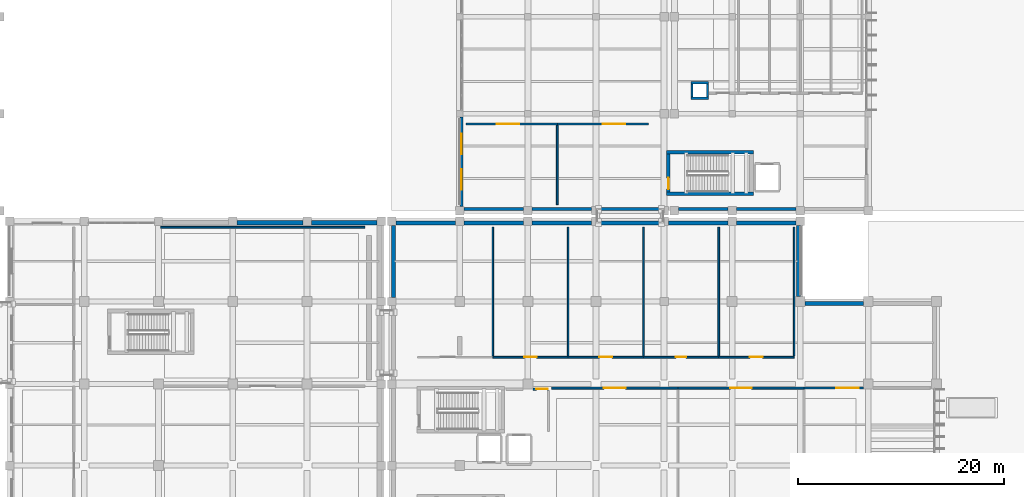
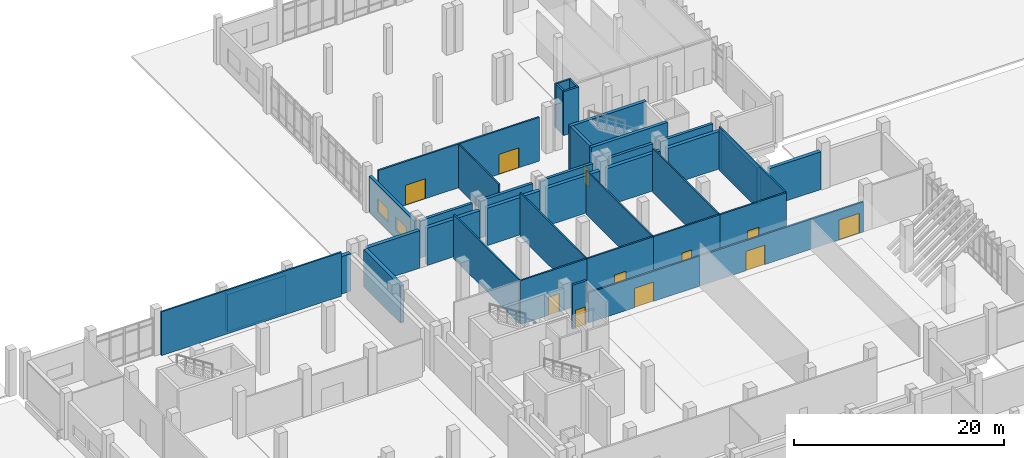
# One storey, part 59 of 79: 41 walls, 11 doors, 2 windows, 13 openings.
"""IFC4 building model written with IfcOpenShell, lengths in metres."""

from ifc_helpers import new_model, si_unit, direction, frame, frame_2d, origin, place, context, subcontext, project, spatial, rectangle, extrude, material, layer, layer_set, type_object, element, fill, save


model = new_model("IFC4")

# Units and contexts
model_context = context("Model", 3, precision=1e-05, world=origin(), true_north=direction((0.0, 1.0)))
body_context = subcontext(model_context, "Body", "Model", "MODEL_VIEW")
ifc_project = project(units=[si_unit("LENGTHUNIT", "METRE"), si_unit("AREAUNIT", "SQUARE_METRE"), si_unit("VOLUMEUNIT", "CUBIC_METRE"), si_unit("PLANEANGLEUNIT", "RADIAN"), si_unit("MASSUNIT", "GRAM", prefix="KILO")], contexts=[model_context])

# Site, building, storey
site_placement = place(None, origin())
site = spatial("IfcSite", under=ifc_project, at=site_placement, CompositionType="ELEMENT")
building_placement = place(site_placement, origin())
building = spatial("IfcBuilding", under=site, at=building_placement, Name="Kelarvand Opera House", CompositionType="ELEMENT")
storey_placement = place(building_placement, origin())
storey = spatial("IfcBuildingStorey", under=building, at=storey_placement, Name="L00", CompositionType="ELEMENT", Elevation=0.0)

# Walls
ifc_material_1 = material(Name="Concrete C35/45", Category="concrete")
ifc_layer_1 = layer(ifc_material_1, 0.39990234375, Name="Concrete C35/45", Category="concrete")
ifc_layer_set_1 = layer_set([ifc_layer_1], Name="Concrete C35/45")
wall_type_1 = type_object("IfcWallType", Name="Acoustic Brick-Travertine Double Wall 400", PredefinedType="SOLIDWALL", material=ifc_layer_set_1)
wall_1_placement = place(storey_placement, frame((89.179931640625, 78.81005859375, 0.0), z_axis=(0.0, 0.0, 1.0), x_axis=(0.0, 1.0, 0.0)))
element("IfcWall", 1, at=wall_1_placement, inside=storey, type_object=wall_type_1, Name="V1 L00 Exterior Wall EW-400 (68)", PredefinedType="SOLIDWALL", context=body_context, shape_type="SweptSolid", body=[
    extrude(rectangle(XDim=6.97998046875, YDim=0.39990234375, at=frame_2d((3.489990234375, 0.0))), origin(), (0.0, 0.0, 1.0), 4.342041015625),
])
for number, where, z_axis, x_axis, name in (
    (2, (89.409912109375, 86.02001953125, 0.0), (0.0, 0.0, 1.0), (1.0, 0.0, 0.0), "V1 L00 Exterior Wall EW-400 (69)"),
    (3, (96.010009765625, 86.02001953125, 0.0), (0.0, 0.0, 1.0), (1.0, 0.0, 0.0), "V1 L00 Exterior Wall EW-400 (70)"),
):
    element("IfcWall", number, at=place(storey_placement, frame(where, z_axis=z_axis, x_axis=x_axis)), inside=storey, type_object=wall_type_1, Name=name, PredefinedType="SOLIDWALL", context=body_context, shape_type="SweptSolid", body=[
        extrude(rectangle(XDim=5.780029296875, YDim=0.39990234375, at=frame_2d((2.89013671875, 0.0))), origin(), (0.0, 0.0, 1.0), 4.342041015625),
    ])
wall_2_placement = place(storey_placement, frame((102.610107421875, 86.02001953125, 0.0), z_axis=(0.0, 0.0, 1.0), x_axis=(1.0, 0.0, 0.0)))
element("IfcWall", 4, at=wall_2_placement, inside=storey, type_object=wall_type_1, Name="V1 L00 Exterior Wall EW-400 (71)", PredefinedType="SOLIDWALL", context=body_context, shape_type="SweptSolid", body=[
    extrude(rectangle(XDim=5.77978515625, YDim=0.39990234375, at=frame_2d((2.889892578125, 0.0))), origin(), (0.0, 0.0, 1.0), 4.342041015625),
])
for number, where, z_axis, x_axis, name in (
    (5, (109.2099609375, 86.02001953125, 0.0), (0.0, 0.0, 1.0), (1.0, 0.0, 0.0), "V1 L00 Exterior Wall EW-400 (72)"),
    (6, (115.81005859375, 86.02001953125, 0.0), (0.0, 0.0, 1.0), (1.0, 0.0, 0.0), "V1 L00 Exterior Wall EW-400 (73)"),
    (7, (122.409912109375, 86.02001953125, 0.0), (0.0, 0.0, 1.0), (1.0, 0.0, 0.0), "V1 L00 Exterior Wall EW-400 (74)"),
):
    element("IfcWall", number, at=place(storey_placement, frame(where, z_axis=z_axis, x_axis=x_axis)), inside=storey, type_object=wall_type_1, Name=name, PredefinedType="SOLIDWALL", context=body_context, shape_type="SweptSolid", body=[
        extrude(rectangle(XDim=5.780029296875, YDim=0.39990234375, at=frame_2d((2.89013671875, 0.0))), origin(), (0.0, 0.0, 1.0), 4.342041015625),
    ])
wall_3_placement = place(storey_placement, frame((128.419921875, 85.7900390625, 0.0), z_axis=(0.0, 0.0, 1.0), x_axis=(0.0, -1.0, 0.0)))
element("IfcWall", 8, at=wall_3_placement, inside=storey, type_object=wall_type_1, Name="V1 L00 Exterior Wall EW-400 (75)", PredefinedType="SOLIDWALL", context=body_context, shape_type="SweptSolid", body=[
    extrude(rectangle(XDim=6.9150390625, YDim=0.39990234375, at=frame_2d((3.45751953125, 0.0))), origin(), (0.0, 0.0, 1.0), 4.241943359375),
])
wall_4_placement = place(storey_placement, frame((129.074951171875, 78.219970703125, 0.0), z_axis=(0.0, 0.0, 1.0), x_axis=(1.0, 0.0, 0.0)))
element("IfcWall", 9, at=wall_4_placement, inside=storey, type_object=wall_type_1, Name="V1 L00 Exterior Wall EW-400 (76)", PredefinedType="SOLIDWALL", context=body_context, shape_type="SweptSolid", body=[
    extrude(rectangle(XDim=5.650146484375, YDim=0.39990234375, at=frame_2d((2.8251953125, 0.0))), origin(), (0.0, 0.0, 1.0), 4.39208984375),
])
ifc_material_2 = material(Name="Acoustic double-stud gypsum partition")
ifc_layer_2 = layer(ifc_material_2, 0.14990234375, Name="Acoustic double-stud gypsum partition")
ifc_layer_set_2 = layer_set([ifc_layer_2], Name="Acoustic double-stud gypsum partition")
wall_type_2 = type_object("IfcWallType", Name="Acoustic Room Partition Wall 150", PredefinedType="PARTITIONING", material=ifc_layer_set_2)
for number, where, z_axis, x_axis, name in (
    (10, (98.800048828125, 73.139892578125, 0.0), (0.0, 0.0, 1.0), (0.0, 1.0, 0.0), "V1 L00 Partition Wall IW-150 (251)"),
    (11, (106.10009765625, 73.139892578125, 0.0), (0.0, 0.0, 1.0), (0.0, 1.0, 0.0), "V1 L00 Partition Wall IW-150 (253)"),
    (12, (113.39990234375, 73.139892578125, 0.0), (0.0, 0.0, 1.0), (0.0, 1.0, 0.0), "V1 L00 Partition Wall IW-150 (255)"),
    (13, (120.699951171875, 73.139892578125, 0.0), (0.0, 0.0, 1.0), (0.0, 1.0, 0.0), "V1 L00 Partition Wall IW-150 (257)"),
    (14, (128.0, 73.139892578125, 0.0), (0.0, 0.0, 1.0), (0.0, 1.0, 0.0), "V1 L00 Partition Wall IW-150 (258)"),
):
    element("IfcWall", number, at=place(storey_placement, frame(where, z_axis=z_axis, x_axis=x_axis)), inside=storey, type_object=wall_type_2, Name=name, PredefinedType="PARTITIONING", context=body_context, shape_type="SweptSolid", body=[
        extrude(rectangle(XDim=12.460205078125, YDim=0.14990234375, at=frame_2d((6.22998046875, 0.0))), origin(), (0.0, 0.0, 1.0), 5.092041015625),
    ])
wall_5_placement = place(storey_placement, frame((105.050048828125, 87.800048828125, 0.0), z_axis=(0.0, 0.0, 1.0), x_axis=(0.0, 1.0, 0.0)))
element("IfcWall", 15, at=wall_5_placement, inside=storey, type_object=wall_type_2, Name="V5 L00 Partition Wall IW-150 (300)", PredefinedType="PARTITIONING", context=body_context, shape_type="SweptSolid", body=[
    extrude(rectangle(XDim=7.659912109375, YDim=0.14990234375, at=frame_2d((3.830078125, 0.0))), origin(), (0.0, 0.0, 1.0), 5.092041015625),
])
ifc_material_3 = material(Name="Concrete C40/50", Category="concrete")
ifc_layer_3 = layer(ifc_material_3, 0.35009765625, Name="Concrete C40/50", Category="concrete")
ifc_layer_set_3 = layer_set([ifc_layer_3], Name="Concrete C40/50")
wall_type_3 = type_object("IfcWallType", Name="Core Stair and Lift Shear Wall 350", PredefinedType="SHEAR", material=ifc_layer_set_3)
for number, where, z_axis, x_axis, name in (
    (16, (115.64990234375, 88.824951171875, 0.0), (0.0, 0.0, 1.0), (1.0, 0.0, 0.0), "C7 Stair Core Shear Wall S L00"),
    (17, (124.050048828125, 92.875, 0.0), (0.0, 0.0, 1.0), (-1.0, 0.0, 0.0), "C7 Stair Core Shear Wall N L00"),
):
    element("IfcWall", number, at=place(storey_placement, frame(where, z_axis=z_axis, x_axis=x_axis)), inside=storey, type_object=wall_type_3, Name=name, PredefinedType="SHEAR", context=body_context, shape_type="SweptSolid", body=[
        extrude(rectangle(XDim=8.400146484375, YDim=0.35009765625, at=frame_2d((4.2001953125, 0.0))), origin(), (0.0, 0.0, 1.0), 5.10009765625),
    ])

# Wall, opening, door
wall_6_placement = place(storey_placement, frame((115.824951171875, 89.0, 0.0), z_axis=(0.0, 0.0, 1.0), x_axis=(0.0, 1.0, 0.0)))
wall_6 = element("IfcWall", 18, at=wall_6_placement, inside=storey, type_object=wall_type_3, Name="C7 Stair Core Shear Wall W L00", PredefinedType="SHEAR", context=body_context, shape_type="SweptSolid", body=[
    extrude(rectangle(XDim=3.699951171875, YDim=0.35009765625, at=frame_2d((1.85009765625, 0.0))), origin(), (0.0, 0.0, 1.0), 5.10009765625),
])
opening_1_placement = place(wall_6_placement, frame((0.280029296875, 0.0, 0.0)))
opening_1 = element("IfcOpeningElement", 19, at=opening_1_placement, cuts=wall_6, Name="Opening FD-01", PredefinedType="OPENING", context=body_context, shape_type="SweptSolid", body=[
    extrude(rectangle(XDim=1.10009765625, YDim=2.080078125, at=frame_2d((0.550048828125, 1.0400390625))), frame((0.0, 0.18505859375, 0.0), z_axis=(0.0, -1.0, 0.0), x_axis=(1.0, 0.0, 0.0)), (0.0, 0.0, 1.0), 0.3701171875),
])
ifc_material_4 = material(Name="Fire-rated brushed stainless steel", Category="steel")
door_type_1 = type_object("IfcDoorType", Name="Steel Fire-Rated Stair and FF Lobby Door 1100x2080", OperationType="NOTDEFINED", PredefinedType="DOOR", material=ifc_material_4)
door_1_placement = place(opening_1_placement, origin())
door_1 = element("IfcDoor", 20, at=door_1_placement, inside=storey, type_object=door_type_1, Name="C7 Stair ST-07 Fire Door L00", OperationType="SINGLE_SWING_LEFT", OverallHeight=2.080078125, OverallWidth=1.10009765625, PredefinedType="DOOR", context=body_context, shape_type="SweptSolid", body=[
    extrude(rectangle(XDim=1.10009765625, YDim=2.080078125, at=frame_2d((0.550048828125, 1.0400390625))), frame((0.0, 0.02490234375, 0.0), z_axis=(0.0, -1.0, 0.0), x_axis=(1.0, 0.0, 0.0)), (0.0, 0.0, 1.0), 0.050048828125),
])
fill(opening_1, door_1)

ifc_layer_4 = layer(ifc_material_1, 0.179931640625, Name="Concrete C35/45", Category="concrete")
ifc_layer_set_4 = layer_set([ifc_layer_4], Name="Concrete C35/45")
wall_type_4 = type_object("IfcWallType", Name="Corridor Fire-Rated Partition Wall 180 EI90", PredefinedType="PARTITIONING", material=ifc_layer_set_4)
wall_7_placement = place(storey_placement, frame((104.5, 70.0, 0.0), z_axis=(0.0, 0.0, 1.0), x_axis=(1.0, 0.0, 0.0)))
wall_7 = element("IfcWall", 21, at=wall_7_placement, inside=storey, type_object=wall_type_4, Name="V1 L00 Partition Wall IW-90 (244)", PredefinedType="PARTITIONING", context=body_context, shape_type="SweptSolid", body=[
    extrude(rectangle(XDim=12.23291015625, YDim=0.179931640625, at=frame_2d((6.116455078125, 0.0))), origin(), (0.0, 0.0, 1.0), 3.491943359375),
])
opening_2_placement = place(wall_7_placement, frame((5.06689453125, 0.0, 0.0)))
opening_2 = element("IfcOpeningElement", 22, at=opening_2_placement, cuts=wall_7, Name="Opening D-08", PredefinedType="OPENING", context=body_context, shape_type="SweptSolid", body=[
    extrude(rectangle(XDim=2.10009765625, YDim=2.25, at=frame_2d((1.050048828125, 1.125))), frame((0.0, 0.10009765625, 0.0), z_axis=(0.0, -1.0, 0.0), x_axis=(1.0, 0.0, 0.0)), (0.0, 0.0, 1.0), 0.199951171875),
])
ifc_material_5 = material(Name="Acoustic walnut-veneered hardwood", Category="wood")
door_type_2 = type_object("IfcDoorType", Name="Foyer Intermission Double Glazed Door 2100x2250", OperationType="NOTDEFINED", PredefinedType="DOOR", material=ifc_material_5)
door_2_placement = place(opening_2_placement, origin())
door_2 = element("IfcDoor", 23, at=door_2_placement, inside=storey, type_object=door_type_2, Name="V1 L00 Door D-08 (102)", OperationType="DOUBLE_DOOR_SINGLE_SWING", OverallHeight=2.25, OverallWidth=2.10009765625, PredefinedType="DOOR", context=body_context, shape_type="SweptSolid", body=[
    extrude(rectangle(XDim=2.10009765625, YDim=2.25, at=frame_2d((1.050048828125, 1.125))), frame((0.0, 0.02490234375, 0.0), z_axis=(0.0, -1.0, 0.0), x_axis=(1.0, 0.0, 0.0)), (0.0, 0.0, 1.0), 0.050048828125),
])
fill(opening_2, door_2)

wall_8_placement = place(storey_placement, frame((116.73291015625, 70.0, 0.0), z_axis=(0.0, 0.0, 1.0), x_axis=(1.0, 0.0, 0.0)))
wall_8 = element("IfcWall", 24, at=wall_8_placement, inside=storey, type_object=wall_type_4, Name="V1 L00 Partition Wall IW-90 (246)", PredefinedType="PARTITIONING", context=body_context, shape_type="SweptSolid", body=[
    extrude(rectangle(XDim=12.234130859375, YDim=0.179931640625, at=frame_2d((6.1171875, 0.0))), origin(), (0.0, 0.0, 1.0), 3.491943359375),
])
opening_3_placement = place(wall_8_placement, frame((5.06689453125, 0.0, 0.0)))
opening_3 = element("IfcOpeningElement", 25, at=opening_3_placement, cuts=wall_8, Name="Opening D-08", PredefinedType="OPENING", context=body_context, shape_type="SweptSolid", body=[
    extrude(rectangle(XDim=2.10009765625, YDim=2.25, at=frame_2d((1.050048828125, 1.125))), frame((0.0, 0.10009765625, 0.0), z_axis=(0.0, -1.0, 0.0), x_axis=(1.0, 0.0, 0.0)), (0.0, 0.0, 1.0), 0.199951171875),
])
door_3_placement = place(opening_3_placement, origin())
door_3 = element("IfcDoor", 26, at=door_3_placement, inside=storey, type_object=door_type_2, Name="V1 L00 Door D-08 (103)", OperationType="DOUBLE_DOOR_SINGLE_SWING", OverallHeight=2.25, OverallWidth=2.10009765625, PredefinedType="DOOR", context=body_context, shape_type="SweptSolid", body=[
    extrude(rectangle(XDim=2.10009765625, YDim=2.25, at=frame_2d((1.050048828125, 1.125))), frame((0.0, 0.02490234375, 0.0), z_axis=(0.0, -1.0, 0.0), x_axis=(1.0, 0.0, 0.0)), (0.0, 0.0, 1.0), 0.050048828125),
])
fill(opening_3, door_3)

wall_9_placement = place(storey_placement, frame((128.967041015625, 70.0, 0.0), z_axis=(0.0, 0.0, 1.0), x_axis=(1.0, 0.0, 0.0)))
wall_9 = element("IfcWall", 27, at=wall_9_placement, inside=storey, type_object=wall_type_4, Name="V1 L00 Partition Wall IW-90 (248)", PredefinedType="PARTITIONING", context=body_context, shape_type="SweptSolid", body=[
    extrude(rectangle(XDim=5.758056640625, YDim=0.179931640625, at=frame_2d((2.87890625, 0.0))), origin(), (0.0, 0.0, 1.0), 3.491943359375),
])
opening_4_placement = place(wall_9_placement, frame((3.10009765625, 0.0, 0.0)))
opening_4 = element("IfcOpeningElement", 28, at=opening_4_placement, cuts=wall_9, Name="Opening D-18", PredefinedType="OPENING", context=body_context, shape_type="SweptSolid", body=[
    extrude(rectangle(XDim=2.199951171875, YDim=2.320068359375, at=frame_2d((1.10009765625, 1.16015625))), frame((0.0, 0.10009765625, 0.0), z_axis=(0.0, -1.0, 0.0), x_axis=(1.0, 0.0, 0.0)), (0.0, 0.0, 1.0), 0.199951171875),
])
door_type_3 = type_object("IfcDoorType", Name="Main Concourse Glazed Double Door 2200x2320", OperationType="NOTDEFINED", PredefinedType="DOOR", material=ifc_material_5)
door_4_placement = place(opening_4_placement, origin())
door_4 = element("IfcDoor", 29, at=door_4_placement, inside=storey, type_object=door_type_3, Name="V1 L00 Door D-18 (104)", OperationType="DOUBLE_DOOR_SINGLE_SWING", OverallHeight=2.320068359375, OverallWidth=2.199951171875, PredefinedType="DOOR", context=body_context, shape_type="SweptSolid", body=[
    extrude(rectangle(XDim=2.199951171875, YDim=2.320068359375, at=frame_2d((1.10009765625, 1.16015625))), frame((0.0, 0.02490234375, 0.0), z_axis=(0.0, -1.0, 0.0), x_axis=(1.0, 0.0, 0.0)), (0.0, 0.0, 1.0), 0.050048828125),
])
fill(opening_4, door_4)

wall_10_placement = place(storey_placement, frame((98.800048828125, 73.0, 0.0), z_axis=(0.0, 0.0, 1.0), x_axis=(1.0, 0.0, 0.0)))
wall_10 = element("IfcWall", 30, at=wall_10_placement, inside=storey, type_object=wall_type_4, Name="V1 L00 Partition Wall IW-90 (252)", PredefinedType="PARTITIONING", context=body_context, shape_type="SweptSolid", body=[
    extrude(rectangle(XDim=7.300048828125, YDim=0.179931640625, at=frame_2d((3.64990234375, 0.0))), origin(), (0.0, 0.0, 1.0), 5.092041015625),
])
opening_5_placement = place(wall_10_placement, frame((3.050048828125, 0.0, 0.0)))
opening_5 = element("IfcOpeningElement", 31, at=opening_5_placement, cuts=wall_10, Name="Opening D-06", PredefinedType="OPENING", context=body_context, shape_type="SweptSolid", body=[
    extrude(rectangle(XDim=1.199951171875, YDim=2.10009765625, at=frame_2d((0.60009765625, 1.050048828125))), frame((0.0, 0.10009765625, 0.0), z_axis=(0.0, -1.0, 0.0), x_axis=(1.0, 0.0, 0.0)), (0.0, 0.0, 1.0), 0.199951171875),
])
door_type_4 = type_object("IfcDoorType", Name="Accessible Suite Timber Door 1200x2100", OperationType="NOTDEFINED", PredefinedType="DOOR", material=ifc_material_5)
door_5_placement = place(opening_5_placement, origin())
door_5 = element("IfcDoor", 32, at=door_5_placement, inside=storey, type_object=door_type_4, Name="V1 L00 Door D-06 (106)", OperationType="SINGLE_SWING_RIGHT", OverallHeight=2.10009765625, OverallWidth=1.199951171875, PredefinedType="DOOR", context=body_context, shape_type="SweptSolid", body=[
    extrude(rectangle(XDim=1.199951171875, YDim=2.10009765625, at=frame_2d((0.60009765625, 1.050048828125))), frame((0.0, 0.02490234375, 0.0), z_axis=(0.0, -1.0, 0.0), x_axis=(1.0, 0.0, 0.0)), (0.0, 0.0, 1.0), 0.050048828125),
])
fill(opening_5, door_5)

wall_11_placement = place(storey_placement, frame((106.10009765625, 73.0, 0.0), z_axis=(0.0, 0.0, 1.0), x_axis=(1.0, 0.0, 0.0)))
wall_11 = element("IfcWall", 33, at=wall_11_placement, inside=storey, type_object=wall_type_4, Name="V1 L00 Partition Wall IW-90 (254)", PredefinedType="PARTITIONING", context=body_context, shape_type="SweptSolid", body=[
    extrude(rectangle(XDim=7.2998046875, YDim=0.179931640625, at=frame_2d((3.64990234375, 0.0))), origin(), (0.0, 0.0, 1.0), 5.092041015625),
])
opening_6_placement = place(wall_11_placement, frame((3.010009765625, 0.0, 0.0)))
opening_6 = element("IfcOpeningElement", 34, at=opening_6_placement, cuts=wall_11, Name="Opening D-11", PredefinedType="OPENING", context=body_context, shape_type="SweptSolid", body=[
    extrude(rectangle(XDim=1.280029296875, YDim=2.139892578125, at=frame_2d((0.64013671875, 1.06982421875))), frame((0.0, 0.10009765625, 0.0), z_axis=(0.0, -1.0, 0.0), x_axis=(1.0, 0.0, 0.0)), (0.0, 0.0, 1.0), 0.199951171875),
])
door_type_5 = type_object("IfcDoorType", Name="Instrument Store Leaf-and-Half Door 1280x2140", OperationType="NOTDEFINED", PredefinedType="DOOR", material=ifc_material_5)
door_6_placement = place(opening_6_placement, origin())
door_6 = element("IfcDoor", 35, at=door_6_placement, inside=storey, type_object=door_type_5, Name="V1 L00 Door D-11 (107)", OperationType="SINGLE_SWING_LEFT", OverallHeight=2.139892578125, OverallWidth=1.280029296875, PredefinedType="DOOR", context=body_context, shape_type="SweptSolid", body=[
    extrude(rectangle(XDim=1.280029296875, YDim=2.139892578125, at=frame_2d((0.64013671875, 1.06982421875))), frame((0.0, 0.02490234375, 0.0), z_axis=(0.0, -1.0, 0.0), x_axis=(1.0, 0.0, 0.0)), (0.0, 0.0, 1.0), 0.050048828125),
])
fill(opening_6, door_6)

wall_12_placement = place(storey_placement, frame((113.39990234375, 73.0, 0.0), z_axis=(0.0, 0.0, 1.0), x_axis=(1.0, 0.0, 0.0)))
wall_12 = element("IfcWall", 36, at=wall_12_placement, inside=storey, type_object=wall_type_4, Name="V1 L00 Partition Wall IW-90 (256)", PredefinedType="PARTITIONING", context=body_context, shape_type="SweptSolid", body=[
    extrude(rectangle(XDim=7.300048828125, YDim=0.179931640625, at=frame_2d((3.64990234375, 0.0))), origin(), (0.0, 0.0, 1.0), 5.092041015625),
])
opening_7_placement = place(wall_12_placement, frame((3.125, 0.0, 0.0)))
opening_7 = element("IfcOpeningElement", 37, at=opening_7_placement, cuts=wall_12, Name="Opening D-02", PredefinedType="OPENING", context=body_context, shape_type="SweptSolid", body=[
    extrude(rectangle(XDim=1.050048828125, YDim=2.10009765625, at=frame_2d((0.52490234375, 1.050048828125))), frame((0.0, 0.10009765625, 0.0), z_axis=(0.0, -1.0, 0.0), x_axis=(1.0, 0.0, 0.0)), (0.0, 0.0, 1.0), 0.199951171875),
])
door_type_6 = type_object("IfcDoorType", Name="Acoustic Studio Single Door 1050x2100", OperationType="NOTDEFINED", PredefinedType="DOOR", material=ifc_material_5)
door_7_placement = place(opening_7_placement, origin())
door_7 = element("IfcDoor", 38, at=door_7_placement, inside=storey, type_object=door_type_6, Name="V1 L00 Door D-02 (108)", OperationType="SINGLE_SWING_RIGHT", OverallHeight=2.10009765625, OverallWidth=1.050048828125, PredefinedType="DOOR", context=body_context, shape_type="SweptSolid", body=[
    extrude(rectangle(XDim=1.050048828125, YDim=2.10009765625, at=frame_2d((0.52490234375, 1.050048828125))), frame((0.0, 0.02490234375, 0.0), z_axis=(0.0, -1.0, 0.0), x_axis=(1.0, 0.0, 0.0)), (0.0, 0.0, 1.0), 0.050048828125),
])
fill(opening_7, door_7)

wall_13_placement = place(storey_placement, frame((120.699951171875, 73.0, 0.0), z_axis=(0.0, 0.0, 1.0), x_axis=(1.0, 0.0, 0.0)))
wall_13 = element("IfcWall", 39, at=wall_13_placement, inside=storey, type_object=wall_type_4, Name="V1 L00 Partition Wall IW-90 (259)", PredefinedType="PARTITIONING", context=body_context, shape_type="SweptSolid", body=[
    extrude(rectangle(XDim=7.300048828125, YDim=0.179931640625, at=frame_2d((3.64990234375, 0.0))), origin(), (0.0, 0.0, 1.0), 5.092041015625),
])
opening_8_placement = place(wall_13_placement, frame((3.010009765625, 0.0, 0.0)))
opening_8 = element("IfcOpeningElement", 40, at=opening_8_placement, cuts=wall_13, Name="Opening D-11", PredefinedType="OPENING", context=body_context, shape_type="SweptSolid", body=[
    extrude(rectangle(XDim=1.280029296875, YDim=2.139892578125, at=frame_2d((0.64013671875, 1.06982421875))), frame((0.0, 0.10009765625, 0.0), z_axis=(0.0, -1.0, 0.0), x_axis=(1.0, 0.0, 0.0)), (0.0, 0.0, 1.0), 0.199951171875),
])
door_8_placement = place(opening_8_placement, origin())
door_8 = element("IfcDoor", 41, at=door_8_placement, inside=storey, type_object=door_type_5, Name="V1 L00 Door D-11 (109)", OperationType="SINGLE_SWING_LEFT", OverallHeight=2.139892578125, OverallWidth=1.280029296875, PredefinedType="DOOR", context=body_context, shape_type="SweptSolid", body=[
    extrude(rectangle(XDim=1.280029296875, YDim=2.139892578125, at=frame_2d((0.64013671875, 1.06982421875))), frame((0.0, 0.02490234375, 0.0), z_axis=(0.0, -1.0, 0.0), x_axis=(1.0, 0.0, 0.0)), (0.0, 0.0, 1.0), 0.050048828125),
])
fill(opening_8, door_8)

# Wall
wall_14_placement = place(storey_placement, frame((66.60009765625, 85.60009765625, 0.0), z_axis=(0.0, 0.0, 1.0), x_axis=(1.0, 0.0, 0.0)))
element("IfcWall", 42, at=wall_14_placement, inside=storey, type_object=wall_type_4, Name="V2 L00 Partition Wall IW-90 (267)", PredefinedType="PARTITIONING", context=body_context, shape_type="SweptSolid", body=[
    extrude(rectangle(XDim=19.7998046875, YDim=0.179931640625, at=frame_2d((9.89990234375, 0.0))), origin(), (0.0, 0.0, 1.0), 5.092041015625),
])

# Wall, opening, door
wall_15_placement = place(storey_placement, frame((96.199951171875, 95.60009765625, 0.0), z_axis=(0.0, 0.0, 1.0), x_axis=(1.0, 0.0, 0.0)))
wall_15 = element("IfcWall", 43, at=wall_15_placement, inside=storey, type_object=wall_type_4, Name="V5 L00 Partition Wall IW-90 (299)", PredefinedType="PARTITIONING", context=body_context, shape_type="SweptSolid", body=[
    extrude(rectangle(XDim=8.85009765625, YDim=0.179931640625, at=frame_2d((4.425048828125, 0.0))), origin(), (0.0, 0.0, 1.0), 5.092041015625),
])
opening_9_placement = place(wall_15_placement, frame((2.964111328125, 0.0, 0.0)))
opening_9 = element("IfcOpeningElement", 44, at=opening_9_placement, cuts=wall_15, Name="Opening D-18", PredefinedType="OPENING", context=body_context, shape_type="SweptSolid", body=[
    extrude(rectangle(XDim=2.199951171875, YDim=2.320068359375, at=frame_2d((1.10009765625, 1.16015625))), frame((0.0, 0.10009765625, 0.0), z_axis=(0.0, -1.0, 0.0), x_axis=(1.0, 0.0, 0.0)), (0.0, 0.0, 1.0), 0.199951171875),
])
door_9_placement = place(opening_9_placement, origin())
door_9 = element("IfcDoor", 45, at=door_9_placement, inside=storey, type_object=door_type_3, Name="V5 L00 Door D-18 (131)", OperationType="DOUBLE_DOOR_SINGLE_SWING", OverallHeight=2.320068359375, OverallWidth=2.199951171875, PredefinedType="DOOR", context=body_context, shape_type="SweptSolid", body=[
    extrude(rectangle(XDim=2.199951171875, YDim=2.320068359375, at=frame_2d((1.10009765625, 1.16015625))), frame((0.0, 0.02490234375, 0.0), z_axis=(0.0, -1.0, 0.0), x_axis=(1.0, 0.0, 0.0)), (0.0, 0.0, 1.0), 0.050048828125),
])
fill(opening_9, door_9)

wall_16_placement = place(storey_placement, frame((105.050048828125, 95.60009765625, 0.0), z_axis=(0.0, 0.0, 1.0), x_axis=(1.0, 0.0, 0.0)))
wall_16 = element("IfcWall", 46, at=wall_16_placement, inside=storey, type_object=wall_type_4, Name="V5 L00 Partition Wall IW-90 (301)", PredefinedType="PARTITIONING", context=body_context, shape_type="SweptSolid", body=[
    extrude(rectangle(XDim=8.849853515625, YDim=0.179931640625, at=frame_2d((4.4248046875, 0.0))), origin(), (0.0, 0.0, 1.0), 5.092041015625),
])
opening_10_placement = place(wall_16_placement, frame((4.406982421875, 0.0, 0.0)))
opening_10 = element("IfcOpeningElement", 47, at=opening_10_placement, cuts=wall_16, Name="Opening D-18", PredefinedType="OPENING", context=body_context, shape_type="SweptSolid", body=[
    extrude(rectangle(XDim=2.199951171875, YDim=2.320068359375, at=frame_2d((1.10009765625, 1.16015625))), frame((0.0, 0.10009765625, 0.0), z_axis=(0.0, -1.0, 0.0), x_axis=(1.0, 0.0, 0.0)), (0.0, 0.0, 1.0), 0.199951171875),
])
door_10_placement = place(opening_10_placement, origin())
door_10 = element("IfcDoor", 48, at=door_10_placement, inside=storey, type_object=door_type_3, Name="V5 L00 Door D-18 (132)", OperationType="DOUBLE_DOOR_SINGLE_SWING", OverallHeight=2.320068359375, OverallWidth=2.199951171875, PredefinedType="DOOR", context=body_context, shape_type="SweptSolid", body=[
    extrude(rectangle(XDim=2.199951171875, YDim=2.320068359375, at=frame_2d((1.10009765625, 1.16015625))), frame((0.0, 0.02490234375, 0.0), z_axis=(0.0, -1.0, 0.0), x_axis=(1.0, 0.0, 0.0)), (0.0, 0.0, 1.0), 0.050048828125),
])
fill(opening_10, door_10)

ifc_layer_5 = layer(ifc_material_1, 0.239990234375, Name="Concrete C35/45", Category="concrete")
ifc_layer_set_5 = layer_set([ifc_layer_5], Name="Concrete C35/45")
wall_type_5 = type_object("IfcWallType", Name="Firefighting Lobby Partition Wall 240 EI120", PredefinedType="PARTITIONING", material=ifc_layer_set_5)
wall_17_placement = place(storey_placement, frame((104.199951171875, 69.89990234375, 0.0), z_axis=(0.0, 0.0, 1.0), x_axis=(-1.0, 0.0, 0.0)))
wall_17 = element("IfcWall", 49, at=wall_17_placement, inside=storey, type_object=wall_type_5, Name="V1 L00 Partition Wall IW-120 (218)", PredefinedType="PARTITIONING", context=body_context, shape_type="SweptSolid", body=[
    extrude(rectangle(XDim=1.52490234375, YDim=0.239990234375, at=frame_2d((0.762451171875, 0.0))), origin(), (0.0, 0.0, 1.0), 5.092041015625),
])
opening_11_placement = place(wall_17_placement, frame((0.080078125, 0.0, 0.0)))
opening_11 = element("IfcOpeningElement", 50, at=opening_11_placement, cuts=wall_17, Name="Opening FD-01", PredefinedType="OPENING", context=body_context, shape_type="SweptSolid", body=[
    extrude(rectangle(XDim=1.10009765625, YDim=2.080078125, at=frame_2d((0.550048828125, 1.0400390625))), frame((0.0, 0.1298828125, 0.0), z_axis=(0.0, -1.0, 0.0), x_axis=(1.0, 0.0, 0.0)), (0.0, 0.0, 1.0), 0.260009765625),
])
door_11_placement = place(opening_11_placement, origin())
door_11 = element("IfcDoor", 51, at=door_11_placement, inside=storey, type_object=door_type_1, Name="V1 L00 Door FD-01 (94)", OperationType="SINGLE_SWING_LEFT", OverallHeight=2.080078125, OverallWidth=1.10009765625, PredefinedType="DOOR", context=body_context, shape_type="SweptSolid", body=[
    extrude(rectangle(XDim=1.10009765625, YDim=2.080078125, at=frame_2d((0.550048828125, 1.0400390625))), frame((0.0, 0.02490234375, 0.0), z_axis=(0.0, -1.0, 0.0), x_axis=(1.0, 0.0, 0.0)), (0.0, 0.0, 1.0), 0.050048828125),
])
fill(opening_11, door_11)

# Wall, openings, windows
ifc_layer_6 = layer(ifc_material_1, 0.300048828125, Name="Concrete C35/45", Category="concrete")
ifc_layer_set_6 = layer_set([ifc_layer_6], Name="Concrete C35/45")
wall_type_6 = type_object("IfcWallType", Name="Insulated Buff Brick Facade Wall 300", PredefinedType="SOLIDWALL", material=ifc_layer_set_6)
wall_18_placement = place(storey_placement, frame((95.780029296875, 87.610107421875, 0.0), z_axis=(0.0, 0.0, 1.0), x_axis=(0.0, 1.0, 0.0)))
wall_18 = element("IfcWall", 52, at=wall_18_placement, inside=storey, type_object=wall_type_6, Name="V5 L00 Exterior Wall EW-300 (600)", PredefinedType="SOLIDWALL", context=body_context, shape_type="SweptSolid", body=[
    extrude(rectangle(XDim=8.664794921875, YDim=0.300048828125, at=frame_2d((4.33251953125, 0.0))), origin(), (0.0, 0.0, 1.0), 4.19189453125),
])
opening_12_placement = place(wall_18_placement, frame((1.60009765625, 0.0, 1.0)))
opening_12 = element("IfcOpeningElement", 53, at=opening_12_placement, cuts=wall_18, Name="Opening WN-28", PredefinedType="OPENING", context=body_context, shape_type="SweptSolid", body=[
    extrude(rectangle(XDim=2.0, YDim=1.5, at=frame_2d((1.0, 0.75))), frame((0.0, 0.16015625, 0.0), z_axis=(0.0, -1.0, 0.0), x_axis=(1.0, 0.0, 0.0)), (0.0, 0.0, 1.0), 0.320068359375),
])
opening_13_placement = place(wall_18_placement, frame((5.06591796875, 0.0, 1.0)))
opening_13 = element("IfcOpeningElement", 54, at=opening_13_placement, cuts=wall_18, Name="Opening WN-28", PredefinedType="OPENING", context=body_context, shape_type="SweptSolid", body=[
    extrude(rectangle(XDim=2.0, YDim=1.5, at=frame_2d((1.0, 0.75))), frame((0.0, 0.16015625, 0.0), z_axis=(0.0, -1.0, 0.0), x_axis=(1.0, 0.0, 0.0)), (0.0, 0.0, 1.0), 0.320068359375),
])
ifc_material_6 = material(Name="Thermally broken aluminium and low-E double glazing", Category="aluminium")
window_type = type_object("IfcWindowType", Name="Recessed Aluminium Thermal Window 2000x1500 WN-28", PartitioningType="SINGLE_PANEL", PredefinedType="WINDOW", material=ifc_material_6)
window_1_placement = place(opening_12_placement, origin())
window_1 = element("IfcWindow", 55, at=window_1_placement, inside=storey, type_object=window_type, Name="V5 L00 Facade Window WN-28 (282)", OverallHeight=1.5, OverallWidth=2.0, PartitioningType="SINGLE_PANEL", PredefinedType="WINDOW", context=body_context, shape_type="SweptSolid", body=[
    extrude(rectangle(XDim=2.0, YDim=1.5, at=frame_2d((1.0, 0.75))), frame((0.0, 0.030029296875, 0.0), z_axis=(0.0, -1.0, 0.0), x_axis=(1.0, 0.0, 0.0)), (0.0, 0.0, 1.0), 0.06005859375),
])
fill(opening_12, window_1)
window_2_placement = place(opening_13_placement, origin())
window_2 = element("IfcWindow", 56, at=window_2_placement, inside=storey, type_object=window_type, Name="V5 L00 Facade Window WN-28 (283)", OverallHeight=1.5, OverallWidth=2.0, PartitioningType="SINGLE_PANEL", PredefinedType="WINDOW", context=body_context, shape_type="SweptSolid", body=[
    extrude(rectangle(XDim=2.0, YDim=1.5, at=frame_2d((1.0, 0.75))), frame((0.0, 0.030029296875, 0.0), z_axis=(0.0, -1.0, 0.0), x_axis=(1.0, 0.0, 0.0)), (0.0, 0.0, 1.0), 0.06005859375),
])
fill(opening_13, window_2)

# Walls
wall_19_placement = place(storey_placement, frame((128.18994140625, 87.3798828125, 0.0), z_axis=(0.0, 0.0, 1.0), x_axis=(-1.0, 0.0, 0.0)))
element("IfcWall", 57, at=wall_19_placement, inside=storey, type_object=wall_type_6, Name="V5 L00 Exterior Wall EW-300 (603)", PredefinedType="SOLIDWALL", context=body_context, shape_type="SweptSolid", body=[
    extrude(rectangle(XDim=5.780029296875, YDim=0.300048828125, at=frame_2d((2.89013671875, 0.0))), origin(), (0.0, 0.0, 1.0), 4.342041015625),
])
wall_20_placement = place(storey_placement, frame((121.590087890625, 87.3798828125, 0.0), z_axis=(0.0, 0.0, 1.0), x_axis=(-1.0, 0.0, 0.0)))
element("IfcWall", 58, at=wall_20_placement, inside=storey, type_object=wall_type_6, Name="V5 L00 Exterior Wall EW-300 (604)", PredefinedType="SOLIDWALL", context=body_context, shape_type="SweptSolid", body=[
    extrude(rectangle(XDim=4.780029296875, YDim=0.300048828125, at=frame_2d((2.39013671875, 0.0))), origin(), (0.0, 0.0, 1.0), 4.342041015625),
])
wall_21_placement = place(storey_placement, frame((114.989990234375, 87.3798828125, 0.0), z_axis=(0.0, 0.0, 1.0), x_axis=(-1.0, 0.0, 0.0)))
element("IfcWall", 59, at=wall_21_placement, inside=storey, type_object=wall_type_6, Name="V5 L00 Exterior Wall EW-300 (605)", PredefinedType="SOLIDWALL", context=body_context, shape_type="SweptSolid", body=[
    extrude(rectangle(XDim=5.780029296875, YDim=0.300048828125, at=frame_2d((2.89013671875, 0.0))), origin(), (0.0, 0.0, 1.0), 4.342041015625),
])
wall_22_placement = place(storey_placement, frame((108.389892578125, 87.3798828125, 0.0), z_axis=(0.0, 0.0, 1.0), x_axis=(-1.0, 0.0, 0.0)))
element("IfcWall", 60, at=wall_22_placement, inside=storey, type_object=wall_type_6, Name="V5 L00 Exterior Wall EW-300 (606)", PredefinedType="SOLIDWALL", context=body_context, shape_type="SweptSolid", body=[
    extrude(rectangle(XDim=5.77978515625, YDim=0.300048828125, at=frame_2d((2.889892578125, 0.0))), origin(), (0.0, 0.0, 1.0), 4.342041015625),
])
wall_23_placement = place(storey_placement, frame((101.7900390625, 87.3798828125, 0.0), z_axis=(0.0, 0.0, 1.0), x_axis=(-1.0, 0.0, 0.0)))
element("IfcWall", 61, at=wall_23_placement, inside=storey, type_object=wall_type_6, Name="V5 L00 Exterior Wall EW-300 (607)", PredefinedType="SOLIDWALL", context=body_context, shape_type="SweptSolid", body=[
    extrude(rectangle(XDim=5.780029296875, YDim=0.300048828125, at=frame_2d((2.89013671875, 0.0))), origin(), (0.0, 0.0, 1.0), 4.342041015625),
])
ifc_layer_7 = layer(ifc_material_1, 0.199951171875, Name="Concrete C35/45", Category="concrete")
ifc_layer_set_7 = layer_set([ifc_layer_7], Name="Concrete C35/45")
wall_type_7 = type_object("IfcWallType", Name="Lift and Riser Shaft Enclosure Wall 200 EI120", PredefinedType="PARTITIONING", material=ifc_layer_set_7)
for number, where, z_axis, x_axis, name in (
    (62, (118.0, 98.10009765625, 0.0), (0.0, 0.0, 1.0), (1.0, 0.0, 0.0), "RSR-V5 L00 Riser Shaft Wall 121"),
    (63, (119.699951171875, 99.60009765625, 0.0), (0.0, 0.0, 1.0), (-1.0, 0.0, 0.0), "RSR-V5 L00 Riser Shaft Wall 122"),
):
    element("IfcWall", number, at=place(storey_placement, frame(where, z_axis=z_axis, x_axis=x_axis)), inside=storey, type_object=wall_type_7, Name=name, PredefinedType="PARTITIONING", context=body_context, shape_type="SweptSolid", body=[
        extrude(rectangle(XDim=1.699951171875, YDim=0.199951171875, at=frame_2d((0.85009765625, 0.0))), origin(), (0.0, 0.0, 1.0), 5.10009765625),
    ])
for number, where, z_axis, x_axis, name in (
    (64, (118.10009765625, 98.199951171875, 0.0), (0.0, 0.0, 1.0), (0.0, 1.0, 0.0), "RSR-V5 L00 Riser Shaft Wall 123"),
    (65, (119.60009765625, 99.5, 0.0), (0.0, 0.0, 1.0), (0.0, -1.0, 0.0), "RSR-V5 L00 Riser Shaft Wall 124"),
):
    element("IfcWall", number, at=place(storey_placement, frame(where, z_axis=z_axis, x_axis=x_axis)), inside=storey, type_object=wall_type_7, Name=name, PredefinedType="PARTITIONING", context=body_context, shape_type="SweptSolid", body=[
        extrude(rectangle(XDim=1.300048828125, YDim=0.199951171875, at=frame_2d((0.64990234375, 0.0))), origin(), (0.0, 0.0, 1.0), 5.10009765625),
    ])
ifc_layer_8 = layer(ifc_material_1, 0.43994140625, Name="Concrete C35/45", Category="concrete")
ifc_layer_set_8 = layer_set([ifc_layer_8], Name="Concrete C35/45")
wall_type_8 = type_object("IfcWallType", Name="Stage House Acoustic Cavity Wall 440", PredefinedType="SOLIDWALL", material=ifc_layer_set_8)
wall_24_placement = place(storey_placement, frame((74.010009765625, 86.02001953125, 0.0), z_axis=(0.0, 0.0, 1.0), x_axis=(1.0, 0.0, 0.0)))
element("IfcWall", 66, at=wall_24_placement, inside=storey, type_object=wall_type_8, Name="V2 L00 Exterior Wall EW-440 (228)", PredefinedType="SOLIDWALL", context=body_context, shape_type="SweptSolid", body=[
    extrude(rectangle(XDim=6.3798828125, YDim=0.43994140625, at=frame_2d((3.18994140625, 0.0))), origin(), (0.0, 0.0, 1.0), 4.342041015625),
])
wall_25_placement = place(storey_placement, frame((81.2099609375, 86.02001953125, 0.0), z_axis=(0.0, 0.0, 1.0), x_axis=(1.0, 0.0, 0.0)))
element("IfcWall", 67, at=wall_25_placement, inside=storey, type_object=wall_type_8, Name="V2 L00 Exterior Wall EW-440 (229)", PredefinedType="SOLIDWALL", context=body_context, shape_type="SweptSolid", body=[
    extrude(rectangle(XDim=6.380126953125, YDim=0.43994140625, at=frame_2d((3.18994140625, 0.0))), origin(), (0.0, 0.0, 1.0), 4.342041015625),
])

save(model, "model.ifc")
